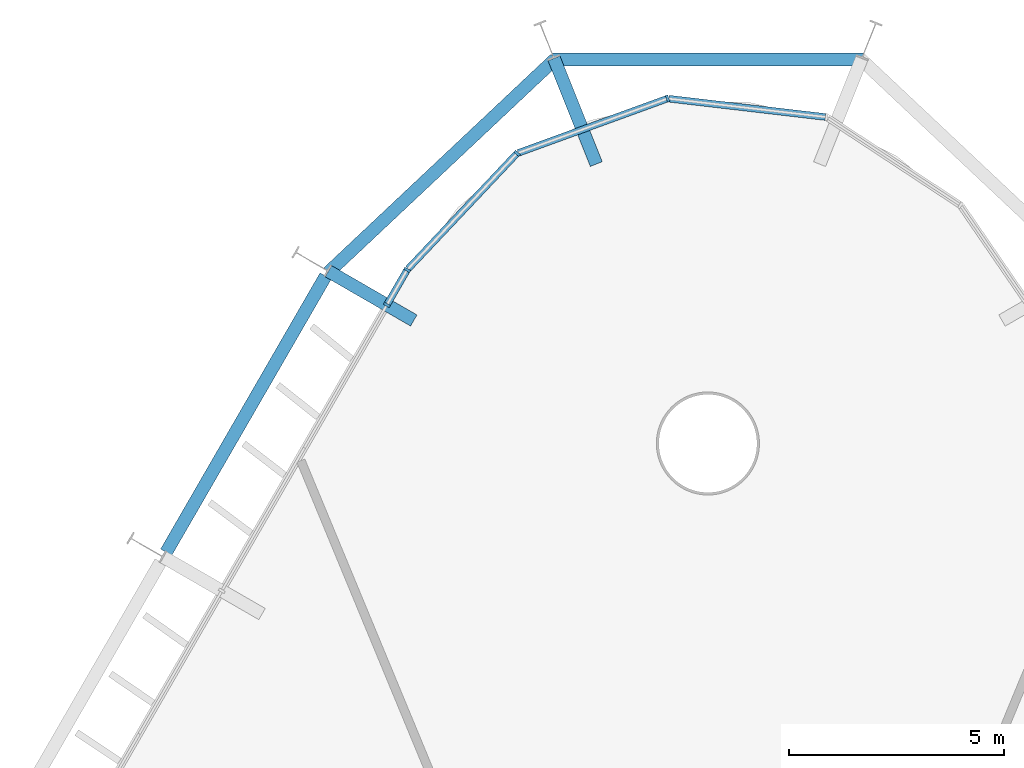
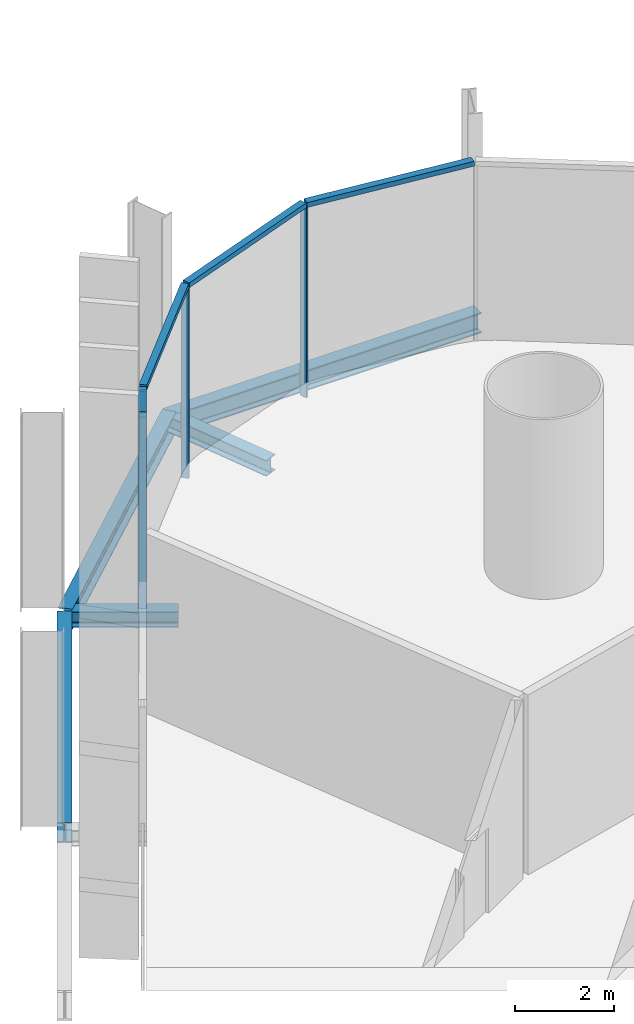
# One storey, part 10 of 18: 8 members, 5 beams, 2 elements without a shape of their own.
"""IFC4 building model written with IfcOpenShell, lengths in metres."""

from ifc_helpers import new_model, si_unit, direction, frame, origin, origin_2d, place, context, subcontext, project, spatial, rectangle, i_section, extrude, material, layer, layer_set, material_profile, profile_set, type_object, element, aggregate, save


model = new_model("IFC4")

# Units and contexts
model_context = context("Model", 3, precision=1e-05, world=origin(), true_north=direction((0.0, 1.0)))
body_context = subcontext(model_context, "Body", "Model", "MODEL_VIEW")
ifc_project = project(units=[si_unit("LENGTHUNIT", "METRE"), si_unit("AREAUNIT", "SQUARE_METRE"), si_unit("VOLUMEUNIT", "CUBIC_METRE"), si_unit("PLANEANGLEUNIT", "RADIAN"), si_unit("MASSUNIT", "GRAM", prefix="KILO")], contexts=[model_context])

# Site, building, storey
site_placement = place(None, origin())
site = spatial("IfcSite", under=ifc_project, at=site_placement, CompositionType="ELEMENT")
building_placement = place(site_placement, origin())
building = spatial("IfcBuilding", under=site, at=building_placement, Name="Spindle Arch Residences", CompositionType="ELEMENT")
storey_placement = place(building_placement, frame((0.0, 0.0, 9.0)))
storey = spatial("IfcBuildingStorey", under=building, at=storey_placement, Name="L01", CompositionType="ELEMENT", Elevation=9.0)

# Curtain wall, members
ifc_material_1 = material(Name="Aluminium bronze unitised frame with tinted glass", Category="aluminium")
ifc_layer_1 = layer(ifc_material_1, 0.159912109375)
ifc_layer_set_1 = layer_set([ifc_layer_1], Name="CW-D corner wall on the fillet arcs")
curtain_wall_type_1 = type_object("IfcCurtainWallType", Name="CW-D corner wall on the fillet arcs", PredefinedType="NOTDEFINED", material=ifc_layer_set_1)
curtain_wall_1_placement = place(storey_placement, origin())
curtain_wall_1 = element("IfcCurtainWall", 1, at=curtain_wall_1_placement, inside=storey, type_object=curtain_wall_type_1, Name="CW-D L01 run 3", PredefinedType="NOTDEFINED")
ifc_material_2 = material(Name="Aluminium bronze anodised mullion", Category="aluminium")
ifc_material_profile_1 = material_profile(ifc_material_2, rectangle(XDim=0.159912109375, YDim=0.06005859375, at=origin_2d()), Name="MU 60x160")
ifc_profile_set_1 = profile_set([ifc_material_profile_1], Name="Aluminium bronze anodised mullion")
member_type_1 = type_object("IfcMemberType", Name="Bronze mullion 60x160", PredefinedType="MULLION", material=ifc_profile_set_1)
member_1_placement = place(storey_placement, frame((-0.93798828125, 31.28515625, -0.3798828125), z_axis=(0.0, 0.0, 1.0), x_axis=(0.342020141538, -0.939692621437, 0.0)))
member_1 = element("IfcMember", 2, at=member_1_placement, type_object=member_type_1, Name="CW-D mullion 03", PredefinedType="MULLION", context=body_context, shape_type="SweptSolid", body=[
    extrude(rectangle(XDim=0.159912109375, YDim=0.06005859375, at=origin_2d()), origin(), (0.0, 0.0, 1.0), 4.679931640625),
])
member_2_placement = place(storey_placement, frame((-4.43994140625, 30.010498046875, -0.3798828125), z_axis=(0.0, 0.0, 1.0), x_axis=(0.727373640284, -0.686241639236, 0.0)))
member_2 = element("IfcMember", 3, at=member_2_placement, type_object=member_type_1, Name="CW-D mullion 04", PredefinedType="MULLION", context=body_context, shape_type="SweptSolid", body=[
    extrude(rectangle(XDim=0.159912109375, YDim=0.06005859375, at=origin_2d()), origin(), (0.0, 0.0, 1.0), 4.679931640625),
])
member_3_placement = place(storey_placement, frame((-6.99755859375, 27.2998046875, -0.3798828125), z_axis=(0.0, 0.0, 1.0), x_axis=(0.866025403784, -0.5, 0.0)))
member_3 = element("IfcMember", 4, at=member_3_placement, type_object=member_type_1, Name="CW-D mullion 05", PredefinedType="MULLION", context=body_context, shape_type="SweptSolid", body=[
    extrude(rectangle(XDim=0.159912109375, YDim=0.06005859375, at=origin_2d()), origin(), (0.0, 0.0, 1.0), 4.679931640625),
])

# Curtain wall, member
ifc_material_3 = material(Name="Aluminium bronze unitised frame with tinted glass", Category="aluminium")
ifc_layer_2 = layer(ifc_material_3, 0.159912109375)
ifc_layer_set_2 = layer_set([ifc_layer_2], Name="CW-B amenity podium glazed wall")
curtain_wall_type_2 = type_object("IfcCurtainWallType", Name="CW-B amenity podium glazed wall", PredefinedType="NOTDEFINED", material=ifc_layer_set_2)
curtain_wall_2_placement = place(storey_placement, origin())
curtain_wall_2 = element("IfcCurtainWall", 5, at=curtain_wall_2_placement, inside=storey, type_object=curtain_wall_type_2, Name="CW-B L01 run 4", PredefinedType="NOTDEFINED")
member_4_placement = place(storey_placement, frame((-7.46923828125, 26.48291015625, -0.3798828125), z_axis=(0.0, 0.0, 1.0), x_axis=(0.866025403784, -0.5, 0.0)))
member_4 = element("IfcMember", 6, at=member_4_placement, type_object=member_type_1, Name="CW-B mullion 13", PredefinedType="MULLION", context=body_context, shape_type="SweptSolid", body=[
    extrude(rectangle(XDim=0.159912109375, YDim=0.06005859375, at=origin_2d()), origin(), (0.0, 0.0, 1.0), 4.679931640625),
])
aggregate(curtain_wall_2, [member_4])

# Member
ifc_material_4 = material(Name="Aluminium bronze anodised transom", Category="aluminium")
ifc_material_profile_2 = material_profile(ifc_material_4, rectangle(XDim=0.159912109375, YDim=0.1201171875, at=origin_2d()), Name="TR 120x160")
ifc_profile_set_2 = profile_set([ifc_material_profile_2], Name="Aluminium bronze anodised transom")
member_type_2 = type_object("IfcMemberType", Name="Bronze transom 120x160", PredefinedType="USERDEFINED", material=ifc_profile_set_2)
member_5_placement = place(storey_placement, frame((2.733642578125, 30.85595703125, 4.360107421875), z_axis=(-0.993234881174, 0.116122654204, 0.0), x_axis=(-0.116122654204, -0.993234881174, 0.0)))
member_5 = element("IfcMember", 7, at=member_5_placement, type_object=member_type_2, Name="CW-D transom 02", ObjectType="TRANSOM", PredefinedType="USERDEFINED", context=body_context, shape_type="SweptSolid", body=[
    extrude(rectangle(XDim=0.159912109375, YDim=0.1201171875, at=origin_2d()), origin(), (0.0, 0.0, 1.0), 3.666748046875),
])

member_6_placement = place(storey_placement, frame((-0.96630859375, 31.27490234375, 4.360107421875), z_axis=(-0.939686455819, -0.342037080957, 0.0), x_axis=(0.342037080957, -0.939686455819, 0.0)))
member_6 = element("IfcMember", 8, at=member_6_placement, type_object=member_type_2, Name="CW-D transom 03", ObjectType="TRANSOM", PredefinedType="USERDEFINED", context=body_context, shape_type="SweptSolid", body=[
    extrude(rectangle(XDim=0.159912109375, YDim=0.1201171875, at=origin_2d()), origin(), (0.0, 0.0, 1.0), 3.666748046875),
])

member_7_placement = place(storey_placement, frame((-4.460693359375, 29.98876953125, 4.360107421875), z_axis=(-0.686199156324, -0.727413718498, 0.0), x_axis=(0.727413718498, -0.686199156324, 0.0)))
member_7 = element("IfcMember", 9, at=member_7_placement, type_object=member_type_2, Name="CW-D transom 04", ObjectType="TRANSOM", PredefinedType="USERDEFINED", context=body_context, shape_type="SweptSolid", body=[
    extrude(rectangle(XDim=0.159912109375, YDim=0.1201171875, at=origin_2d()), origin(), (0.0, 0.0, 1.0), 3.666748046875),
])

member_8_placement = place(storey_placement, frame((-7.012451171875, 27.27392578125, 4.360107421875), z_axis=(-0.499913830031, -0.866075148324, 0.0), x_axis=(0.866075148324, -0.499913830031, 0.0)))
member_8 = element("IfcMember", 10, at=member_8_placement, type_object=member_type_2, Name="CW-D transom 05", ObjectType="TRANSOM", PredefinedType="USERDEFINED", context=body_context, shape_type="SweptSolid", body=[
    extrude(rectangle(XDim=0.159912109375, YDim=0.1201171875, at=origin_2d()), origin(), (0.0, 0.0, 1.0), 0.883544921875),
])

aggregate(curtain_wall_1, [member_5, member_1, member_6, member_2, member_7, member_3, member_8])

# Beams
ifc_material_5 = material(Name="Steel S460ML, intumescent coating R 120", Category="steel")
ifc_material_profile_3 = material_profile(ifc_material_5, i_section(OverallWidth=0.300048828125, OverallDepth=0.5, WebThickness=0.014404296875, FlangeThickness=0.028076171875, FilletRadius=0.027099609375, at=origin_2d()), Name="HEB 500")
ifc_profile_set_3 = profile_set([ifc_material_profile_3], Name="Steel S460ML, intumescent coating R 120")
beam_type_1 = type_object("IfcBeamType", Name="Exoskeleton edge beam HEB 500", PredefinedType="BEAM", material=ifc_profile_set_3)
beam_1_placement = place(storey_placement, frame((3.6181640625, 32.188720703125, -0.6298828125), z_axis=(-1.0, 0.0, 0.0), x_axis=(0.0, -1.0, 0.0)))
element("IfcBeam", 11, at=beam_1_placement, inside=storey, type_object=beam_type_1, Name="Exoskeleton edge beam 12", PredefinedType="BEAM", context=body_context, shape_type="SweptSolid", body=[
    extrude(i_section(OverallWidth=0.300048828125, OverallDepth=0.5, WebThickness=0.014404296875, FlangeThickness=0.028076171875, FilletRadius=0.027099609375, at=origin_2d()), origin(), (0.0, 0.0, 1.0), 7.236328125),
])
beam_2_placement = place(storey_placement, frame((-3.54833984375, 32.20947265625, -0.6298828125), z_axis=(-0.728377909202, -0.685175613538, 0.0), x_axis=(0.685175613538, -0.728377909202, 0.0)))
element("IfcBeam", 12, at=beam_2_placement, inside=storey, type_object=beam_type_1, Name="Exoskeleton edge beam 13", PredefinedType="BEAM", context=body_context, shape_type="SweptSolid", body=[
    extrude(i_section(OverallWidth=0.300048828125, OverallDepth=0.5, WebThickness=0.014404296875, FlangeThickness=0.028076171875, FilletRadius=0.027099609375, at=origin_2d()), origin(), (0.0, 0.0, 1.0), 7.250244140625),
])
beam_3_placement = place(storey_placement, frame((-8.893798828125, 27.1552734375, -0.6298828125), z_axis=(-0.5000139068, -0.866017374541, 0.0), x_axis=(0.866017374541, -0.5000139068, 0.0)))
element("IfcBeam", 13, at=beam_3_placement, inside=storey, type_object=beam_type_1, Name="Exoskeleton edge beam 14", PredefinedType="BEAM", context=body_context, shape_type="SweptSolid", body=[
    extrude(i_section(OverallWidth=0.300048828125, OverallDepth=0.5, WebThickness=0.014404296875, FlangeThickness=0.028076171875, FilletRadius=0.027099609375, at=origin_2d()), origin(), (0.0, 0.0, 1.0), 7.420166015625),
])
ifc_material_6 = material(Name="Steel S460ML, intumescent coating R 120", Category="steel")
ifc_material_profile_4 = material_profile(ifc_material_6, i_section(OverallWidth=0.300048828125, OverallDepth=0.389892578125, WebThickness=0.010986328125, FlangeThickness=0.01904296875, FilletRadius=0.027099609375, at=origin_2d()), Name="HEA 400")
ifc_profile_set_4 = profile_set([ifc_material_profile_4], Name="Steel S460ML, intumescent coating R 120")
beam_type_2 = type_object("IfcBeamType", Name="Floor outrigger HEA 400", PredefinedType="BEAM", material=ifc_profile_set_4)
beam_4_placement = place(storey_placement, frame((-3.581298828125, 32.220703125, -0.574951171875), z_axis=(0.371104734129, -0.928591016706, 0.0), x_axis=(0.928591016706, 0.371104734129, 0.0)))
element("IfcBeam", 14, at=beam_4_placement, inside=storey, type_object=beam_type_2, Name="Floor outrigger 13", PredefinedType="BEAM", context=body_context, shape_type="SweptSolid", body=[
    extrude(i_section(OverallWidth=0.300048828125, OverallDepth=0.389892578125, WebThickness=0.010986328125, FlangeThickness=0.01904296875, FilletRadius=0.027099609375, at=origin_2d()), origin(), (0.0, 0.0, 1.0), 2.64990234375),
])
beam_5_placement = place(storey_placement, frame((-8.828857421875, 27.267822265625, -0.574951171875), z_axis=(0.866020755578, -0.500008050843, 0.0), x_axis=(0.500008050843, 0.866020755578, 0.0)))
element("IfcBeam", 15, at=beam_5_placement, inside=storey, type_object=beam_type_2, Name="Floor outrigger 14", PredefinedType="BEAM", context=body_context, shape_type="SweptSolid", body=[
    extrude(i_section(OverallWidth=0.300048828125, OverallDepth=0.389892578125, WebThickness=0.010986328125, FlangeThickness=0.01904296875, FilletRadius=0.027099609375, at=origin_2d()), origin(), (0.0, 0.0, 1.0), 2.2939453125),
])

save(model, "model.ifc")
